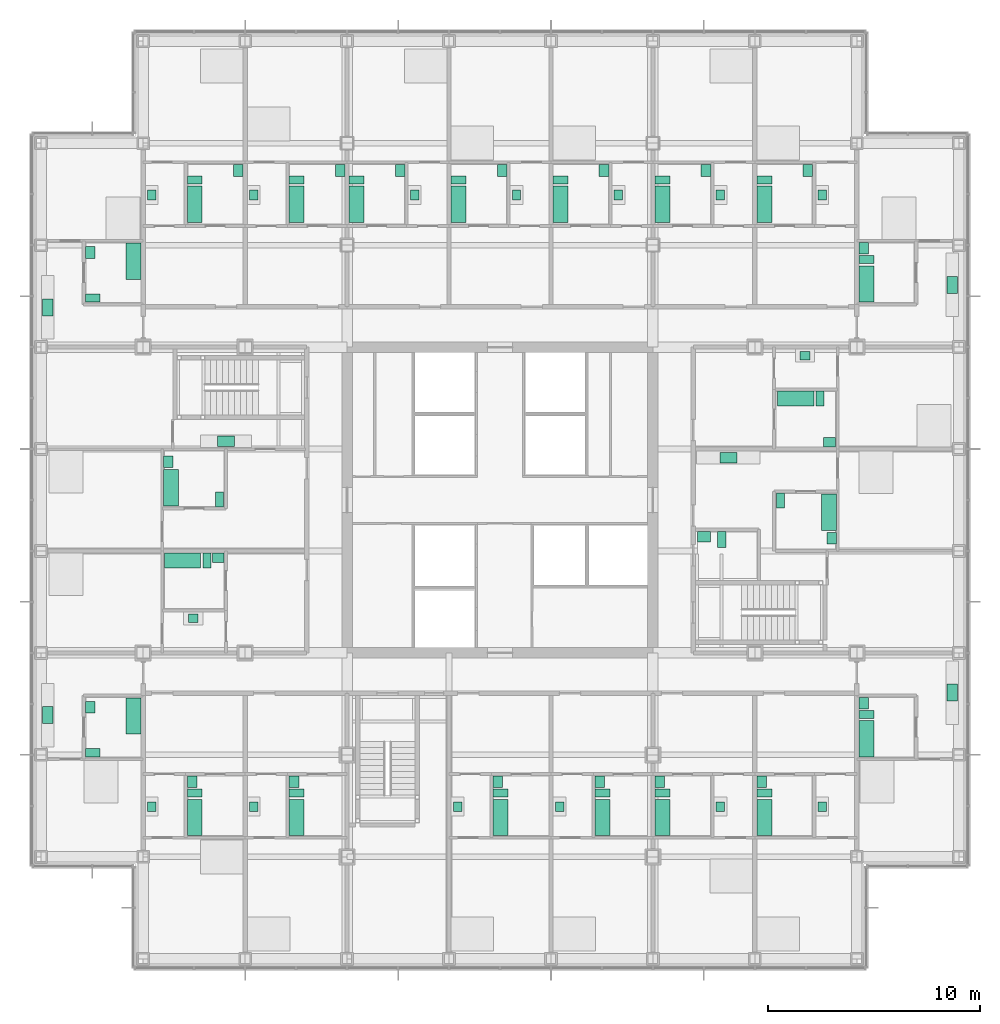
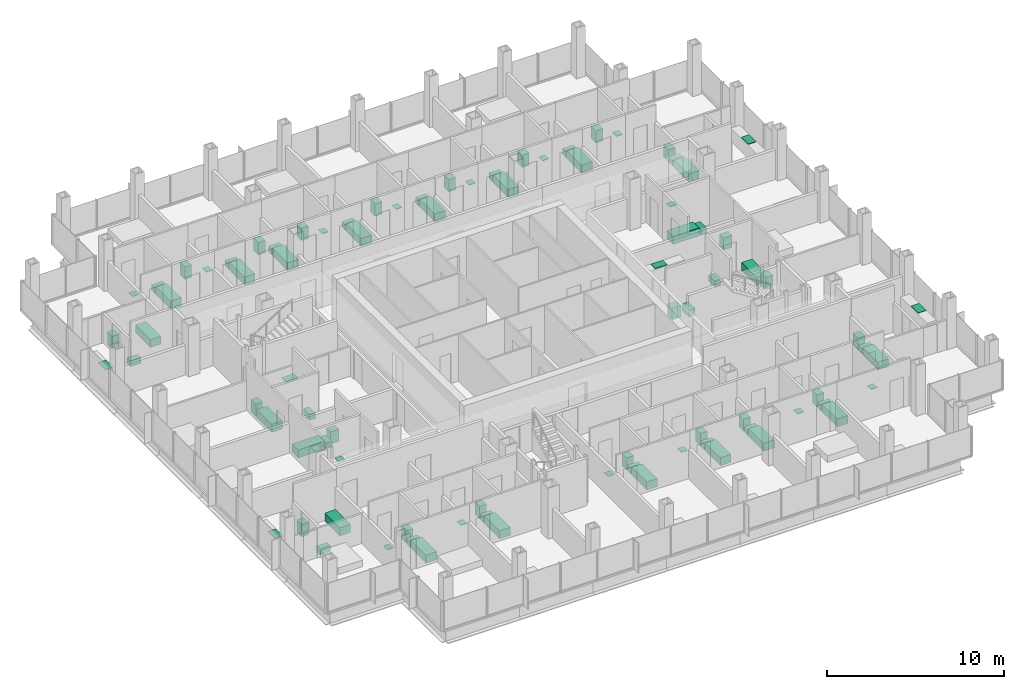
# One storey, part 21 of 22: 86 sanitary terminals.
"""IFC4 building model written with IfcOpenShell, lengths in metres."""

from ifc_helpers import new_model, si_unit, direction, frame, origin, origin_2d, place, context, subcontext, project, spatial, rectangle, extrude, material, type_object, element, save


model = new_model("IFC4")

# Units and contexts
model_context = context("Model", 3, precision=1e-05, world=origin(), true_north=direction((0.0, 1.0)))
body_context = subcontext(model_context, "Body", "Model", "MODEL_VIEW")
ifc_project = project(units=[si_unit("LENGTHUNIT", "METRE"), si_unit("AREAUNIT", "SQUARE_METRE"), si_unit("VOLUMEUNIT", "CUBIC_METRE"), si_unit("PLANEANGLEUNIT", "RADIAN"), si_unit("MASSUNIT", "GRAM", prefix="KILO")], contexts=[model_context])

# Site, building, storey
site_placement = place(None, origin())
site = spatial("IfcSite", under=ifc_project, at=site_placement, CompositionType="ELEMENT")
building_placement = place(site_placement, origin())
building = spatial("IfcBuilding", under=site, at=building_placement, Name="Kvirike Care Tower", CompositionType="ELEMENT")
storey_placement = place(building_placement, frame((0.0, 0.0, 76.0)))
storey = spatial("IfcBuildingStorey", under=building, at=storey_placement, Name="L20", CompositionType="ELEMENT", Elevation=76.0)

# Sanitary terminals
ifc_material_1 = material(Name="Vitreous china", Category="ceramic")
sanitary_terminal_type_1 = type_object("IfcSanitaryTerminalType", Name="ACCESSIBLE WASH BASIN 600 x 500", PredefinedType="WASHHANDBASIN", material=ifc_material_1)
sanitary_terminal_1_placement = place(storey_placement, frame((31.199951171875, 34.27294921875, 0.02001953125), z_axis=(0.0, 0.0, 1.0), x_axis=(1.0, 0.0, 0.0)))
element("IfcSanitaryTerminal", 1, at=sanitary_terminal_1_placement, inside=storey, type_object=sanitary_terminal_type_1, Name="Accessible wash basin L20-076", PredefinedType="WASHHANDBASIN", context=body_context, shape_type="SweptSolid", body=[
    extrude(rectangle(XDim=0.60009765625, YDim=0.5, at=origin_2d()), origin(), (0.0, 0.0, 1.0), 0.800048828125),
])
ifc_material_2 = material(Name="Vitreous china", Category="ceramic")
sanitary_terminal_type_2 = type_object("IfcSanitaryTerminalType", Name="ACCESSIBLE WC PAN 400 x 750", PredefinedType="TOILETPAN", material=ifc_material_2)
sanitary_terminal_2_placement = place(storey_placement, frame((32.050048828125, 34.14794921875, 0.02001953125), z_axis=(0.0, 0.0, 1.0), x_axis=(1.0, 0.0, 0.0)))
element("IfcSanitaryTerminal", 2, at=sanitary_terminal_2_placement, inside=storey, type_object=sanitary_terminal_type_2, Name="Accessible WC pan L20-076", PredefinedType="TOILETPAN", context=body_context, shape_type="SweptSolid", body=[
    extrude(rectangle(XDim=0.39990234375, YDim=0.75, at=origin_2d()), origin(), (0.0, 0.0, 1.0), 0.47998046875),
])
ifc_material_3 = material(Name="Enamelled steel", Category="steel")
sanitary_terminal_type_3 = type_object("IfcSanitaryTerminalType", Name="BATH 1700 x 700", PredefinedType="BATH", material=ifc_material_3)
for number, where, z_axis, x_axis, name in (
    (3, (4.347900390625, 25.824951171875, 0.02001953125), (0.0, 0.0, 1.0), (0.0, -1.0, 0.0), "Bath L20-003"),
    (4, (7.22705078125, 21.06005859375, 0.02001953125), (0.0, 0.0, 1.0), (0.0, 1.0, 0.0), "Bath L20-006"),
    (5, (12.027099609375, 21.06005859375, 0.02001953125), (0.0, 0.0, 1.0), (0.0, 1.0, 0.0), "Bath L20-010"),
    (6, (6.112060546875, 36.574951171875, 0.02001953125), (0.0, 0.0, 1.0), (0.0, 1.0, 0.0), "Bath L20-017"),
    (7, (6.659912109375, 33.14794921875, 0.02001953125), (0.0, 0.0, 1.0), (1.0, 0.0, 0.0), "Bath L20-021"),
    (8, (12.027099609375, 49.925048828125, 0.02001953125), (0.0, 0.0, 1.0), (0.0, 1.0, 0.0), "Bath L20-026"),
    (9, (7.22705078125, 49.925048828125, 0.02001953125), (0.0, 0.0, 1.0), (0.0, 1.0, 0.0), "Bath L20-030"),
    (10, (4.347900390625, 47.239990234375, 0.02001953125), (0.0, 0.0, 1.0), (0.0, -1.0, 0.0), "Bath L20-034"),
    (11, (21.626953125, 21.06005859375, 0.02001953125), (0.0, 0.0, 1.0), (0.0, 1.0, 0.0), "Bath L20-040"),
    (12, (26.427001953125, 21.06005859375, 0.02001953125), (0.0, 0.0, 1.0), (0.0, 1.0, 0.0), "Bath L20-044"),
    (13, (24.451904296875, 49.925048828125, 0.02001953125), (0.0, 0.0, 1.0), (0.0, 1.0, 0.0), "Bath L20-049"),
    (14, (19.652099609375, 49.925048828125, 0.02001953125), (0.0, 0.0, 1.0), (0.0, 1.0, 0.0), "Bath L20-053"),
    (15, (14.85205078125, 49.925048828125, 0.02001953125), (0.0, 0.0, 1.0), (0.0, 1.0, 0.0), "Bath L20-057"),
    (16, (29.251953125, 21.06005859375, 0.02001953125), (0.0, 0.0, 1.0), (0.0, 1.0, 0.0), "Bath L20-062"),
    (17, (34.052001953125, 21.06005859375, 0.02001953125), (0.0, 0.0, 1.0), (0.0, 1.0, 0.0), "Bath L20-066"),
    (18, (38.85205078125, 24.760009765625, 0.02001953125), (0.0, 0.0, 1.0), (0.0, 1.0, 0.0), "Bath L20-070"),
    (19, (37.087890625, 35.425048828125, 0.02001953125), (0.0, 0.0, 1.0), (0.0, -1.0, 0.0), "Bath L20-077"),
    (20, (35.52490234375, 40.77294921875, 0.02001953125), (0.0, 0.0, 1.0), (1.0, 0.0, 0.0), "Bath L20-080"),
    (21, (38.85205078125, 46.175048828125, 0.02001953125), (0.0, 0.0, 1.0), (0.0, 1.0, 0.0), "Bath L20-085"),
    (22, (34.052001953125, 49.925048828125, 0.02001953125), (0.0, 0.0, 1.0), (0.0, 1.0, 0.0), "Bath L20-088"),
    (23, (29.251953125, 49.925048828125, 0.02001953125), (0.0, 0.0, 1.0), (0.0, 1.0, 0.0), "Bath L20-092"),
):
    element("IfcSanitaryTerminal", number, at=place(storey_placement, frame(where, z_axis=z_axis, x_axis=x_axis)), inside=storey, type_object=sanitary_terminal_type_3, Name=name, PredefinedType="BATH", context=body_context, shape_type="SweptSolid", body=[
        extrude(rectangle(XDim=1.699951171875, YDim=0.699951171875, at=origin_2d()), origin(), (0.0, 0.0, 1.0), 0.550048828125),
    ])
ifc_material_4 = material(Name="Stainless steel", Category="steel")
sanitary_terminal_type_4 = type_object("IfcSanitaryTerminalType", Name="KITCHEN SINK 450 x 400", PredefinedType="SINK", material=ifc_material_4)
for number, where, z_axis, x_axis, name in (
    (24, (5.201904296875, 21.56005859375, 0.89990234375), (0.0, 0.0, 1.0), (0.0, 1.0, 0.0), "Kitchen sink L20-007"),
    (25, (10.001953125, 21.56005859375, 0.89990234375), (0.0, 0.0, 1.0), (0.0, 1.0, 0.0), "Kitchen sink L20-011"),
    (26, (7.159912109375, 30.423095703125, 0.89990234375), (0.0, 0.0, 1.0), (1.0, 0.0, 0.0), "Kitchen sink L20-022"),
    (27, (10.001953125, 50.360107421875, 0.89990234375), (0.0, 0.0, 1.0), (0.0, 1.0, 0.0), "Kitchen sink L20-027"),
    (28, (5.201904296875, 50.360107421875, 0.89990234375), (0.0, 0.0, 1.0), (0.0, 1.0, 0.0), "Kitchen sink L20-031"),
    (29, (19.60205078125, 21.56005859375, 0.89990234375), (0.0, 0.0, 1.0), (0.0, 1.0, 0.0), "Kitchen sink L20-041"),
    (30, (24.402099609375, 21.56005859375, 0.89990234375), (0.0, 0.0, 1.0), (0.0, 1.0, 0.0), "Kitchen sink L20-045"),
    (31, (27.177001953125, 50.360107421875, 0.89990234375), (0.0, 0.0, 1.0), (0.0, 1.0, 0.0), "Kitchen sink L20-050"),
    (32, (22.376953125, 50.360107421875, 0.89990234375), (0.0, 0.0, 1.0), (0.0, 1.0, 0.0), "Kitchen sink L20-054"),
    (33, (17.576904296875, 50.360107421875, 0.89990234375), (0.0, 0.0, 1.0), (0.0, 1.0, 0.0), "Kitchen sink L20-058"),
    (34, (31.97705078125, 21.56005859375, 0.89990234375), (0.0, 0.0, 1.0), (0.0, 1.0, 0.0), "Kitchen sink L20-063"),
    (35, (36.777099609375, 21.56005859375, 0.89990234375), (0.0, 0.0, 1.0), (0.0, 1.0, 0.0), "Kitchen sink L20-067"),
    (36, (35.9599609375, 42.798095703125, 0.89990234375), (0.0, 0.0, 1.0), (1.0, 0.0, 0.0), "Kitchen sink L20-081"),
    (37, (36.777099609375, 50.360107421875, 0.89990234375), (0.0, 0.0, 1.0), (0.0, 1.0, 0.0), "Kitchen sink L20-089"),
    (38, (31.97705078125, 50.360107421875, 0.89990234375), (0.0, 0.0, 1.0), (0.0, 1.0, 0.0), "Kitchen sink L20-093"),
):
    element("IfcSanitaryTerminal", number, at=place(storey_placement, frame(where, z_axis=z_axis, x_axis=x_axis)), inside=storey, type_object=sanitary_terminal_type_4, Name=name, PredefinedType="SINK", context=body_context, shape_type="SweptSolid", body=[
        extrude(rectangle(XDim=0.449951171875, YDim=0.39990234375, at=origin_2d()), origin(), (0.0, 0.0, 1.0), 0.030029296875),
    ])
ifc_material_5 = material(Name="Stainless steel", Category="steel")
sanitary_terminal_type_5 = type_object("IfcSanitaryTerminalType", Name="KITCHEN SINK 800 x 500", PredefinedType="SINK", material=ifc_material_5)
for number, where, z_axis, x_axis, name in (
    (39, (0.302001953125, 25.8701171875, 0.89990234375), (0.0, 0.0, 1.0), (0.0, 1.0, 0.0), "Kitchen sink L20-004"),
    (40, (8.699951171875, 38.761962890625, 0.89990234375), (0.0, 0.0, 1.0), (-1.0, 0.0, 0.0), "Kitchen sink L20-018"),
    (41, (0.302001953125, 45.070068359375, 0.89990234375), (0.0, 0.0, 1.0), (0.0, 1.0, 0.0), "Kitchen sink L20-035"),
    (42, (42.89794921875, 26.929931640625, 0.89990234375), (0.0, 0.0, 1.0), (0.0, -1.0, 0.0), "Kitchen sink L20-071"),
    (43, (32.35009765625, 37.998046875, 0.89990234375), (0.0, 0.0, 1.0), (1.0, 0.0, 0.0), "Kitchen sink L20-078"),
    (44, (42.89794921875, 46.1298828125, 0.89990234375), (0.0, 0.0, 1.0), (0.0, -1.0, 0.0), "Kitchen sink L20-086"),
):
    element("IfcSanitaryTerminal", number, at=place(storey_placement, frame(where, z_axis=z_axis, x_axis=x_axis)), inside=storey, type_object=sanitary_terminal_type_5, Name=name, PredefinedType="SINK", context=body_context, shape_type="SweptSolid", body=[
        extrude(rectangle(XDim=0.800048828125, YDim=0.5, at=origin_2d()), origin(), (0.0, 0.0, 1.0), 0.030029296875),
    ])
ifc_material_6 = material(Name="Vitreous china", Category="ceramic")
sanitary_terminal_type_6 = type_object("IfcSanitaryTerminalType", Name="WASH BASIN 550 x 450", PredefinedType="WASHHANDBASIN", material=ifc_material_6)
for number, where, z_axis, x_axis, name in (
    (45, (2.302001953125, 26.235107421875, 0.02001953125), (0.0, 0.0, 1.0), (0.0, 1.0, 0.0), "Wash basin L20-003"),
    (46, (7.10205078125, 22.735107421875, 0.02001953125), (0.0, 0.0, 1.0), (0.0, 1.0, 0.0), "Wash basin L20-006"),
    (47, (11.902099609375, 22.735107421875, 0.02001953125), (0.0, 0.0, 1.0), (0.0, 1.0, 0.0), "Wash basin L20-010"),
    (48, (5.987060546875, 37.800048828125, 0.02001953125), (0.0, 0.0, 1.0), (0.0, 1.0, 0.0), "Wash basin L20-017"),
    (49, (8.3349609375, 33.27294921875, 0.02001953125), (0.0, 0.0, 1.0), (1.0, 0.0, 0.0), "Wash basin L20-021"),
    (50, (14.072998046875, 51.514892578125, 0.02001953125), (0.0, 0.0, 1.0), (0.0, -1.0, 0.0), "Wash basin L20-026"),
    (51, (9.27294921875, 51.514892578125, 0.02001953125), (0.0, 0.0, 1.0), (0.0, -1.0, 0.0), "Wash basin L20-030"),
    (52, (2.302001953125, 47.64990234375, 0.02001953125), (0.0, 0.0, 1.0), (0.0, 1.0, 0.0), "Wash basin L20-034"),
    (53, (21.501953125, 22.735107421875, 0.02001953125), (0.0, 0.0, 1.0), (0.0, 1.0, 0.0), "Wash basin L20-040"),
    (54, (26.302001953125, 22.735107421875, 0.02001953125), (0.0, 0.0, 1.0), (0.0, 1.0, 0.0), "Wash basin L20-044"),
    (55, (26.498046875, 51.514892578125, 0.02001953125), (0.0, 0.0, 1.0), (0.0, -1.0, 0.0), "Wash basin L20-049"),
    (56, (21.697998046875, 51.514892578125, 0.02001953125), (0.0, 0.0, 1.0), (0.0, -1.0, 0.0), "Wash basin L20-053"),
    (57, (16.89794921875, 51.514892578125, 0.02001953125), (0.0, 0.0, 1.0), (0.0, -1.0, 0.0), "Wash basin L20-057"),
    (58, (29.126953125, 22.735107421875, 0.02001953125), (0.0, 0.0, 1.0), (0.0, 1.0, 0.0), "Wash basin L20-062"),
    (59, (33.927001953125, 22.735107421875, 0.02001953125), (0.0, 0.0, 1.0), (0.0, 1.0, 0.0), "Wash basin L20-066"),
    (60, (38.72705078125, 26.43505859375, 0.02001953125), (0.0, 0.0, 1.0), (0.0, 1.0, 0.0), "Wash basin L20-070"),
    (61, (37.212890625, 34.199951171875, 0.02001953125), (0.0, 0.0, 1.0), (0.0, -1.0, 0.0), "Wash basin L20-077"),
    (62, (37.114990234375, 38.72705078125, 0.02001953125), (0.0, 0.0, 1.0), (-1.0, 0.0, 0.0), "Wash basin L20-080"),
    (63, (38.72705078125, 47.85009765625, 0.02001953125), (0.0, 0.0, 1.0), (0.0, 1.0, 0.0), "Wash basin L20-085"),
    (64, (36.097900390625, 51.514892578125, 0.02001953125), (0.0, 0.0, 1.0), (0.0, -1.0, 0.0), "Wash basin L20-088"),
    (65, (31.298095703125, 51.514892578125, 0.02001953125), (0.0, 0.0, 1.0), (0.0, -1.0, 0.0), "Wash basin L20-092"),
):
    element("IfcSanitaryTerminal", number, at=place(storey_placement, frame(where, z_axis=z_axis, x_axis=x_axis)), inside=storey, type_object=sanitary_terminal_type_6, Name=name, PredefinedType="WASHHANDBASIN", context=body_context, shape_type="SweptSolid", body=[
        extrude(rectangle(XDim=0.550048828125, YDim=0.449951171875, at=origin_2d()), origin(), (0.0, 0.0, 1.0), 0.85009765625),
    ])
ifc_material_7 = material(Name="Vitreous china", Category="ceramic")
sanitary_terminal_type_7 = type_object("IfcSanitaryTerminalType", Name="WC PAN 380 x 700", PredefinedType="TOILETPAN", material=ifc_material_7)
for number, where, z_axis, x_axis, name in (
    (66, (2.427001953125, 24.10009765625, 0.02001953125), (0.0, 0.0, 1.0), (0.0, 1.0, 0.0), "WC pan L20-003"),
    (67, (7.22705078125, 22.199951171875, 0.02001953125), (0.0, 0.0, 1.0), (0.0, 1.0, 0.0), "WC pan L20-006"),
    (68, (12.027099609375, 22.199951171875, 0.02001953125), (0.0, 0.0, 1.0), (0.0, 1.0, 0.0), "WC pan L20-010"),
    (69, (8.385009765625, 36.027099609375, 0.02001953125), (0.0, 0.0, 1.0), (-1.0, 0.0, 0.0), "WC pan L20-017"),
    (70, (7.800048828125, 33.14794921875, 0.02001953125), (0.0, 0.0, 1.0), (1.0, 0.0, 0.0), "WC pan L20-021"),
    (71, (12.027099609375, 51.06494140625, 0.02001953125), (0.0, 0.0, 1.0), (0.0, 1.0, 0.0), "WC pan L20-026"),
    (72, (7.22705078125, 51.06494140625, 0.02001953125), (0.0, 0.0, 1.0), (0.0, 1.0, 0.0), "WC pan L20-030"),
    (73, (2.427001953125, 45.514892578125, 0.02001953125), (0.0, 0.0, 1.0), (0.0, 1.0, 0.0), "WC pan L20-034"),
    (74, (21.626953125, 22.199951171875, 0.02001953125), (0.0, 0.0, 1.0), (0.0, 1.0, 0.0), "WC pan L20-040"),
    (75, (26.427001953125, 22.199951171875, 0.02001953125), (0.0, 0.0, 1.0), (0.0, 1.0, 0.0), "WC pan L20-044"),
    (76, (24.451904296875, 51.06494140625, 0.02001953125), (0.0, 0.0, 1.0), (0.0, 1.0, 0.0), "WC pan L20-049"),
    (77, (19.652099609375, 51.06494140625, 0.02001953125), (0.0, 0.0, 1.0), (0.0, 1.0, 0.0), "WC pan L20-053"),
    (78, (14.85205078125, 51.06494140625, 0.02001953125), (0.0, 0.0, 1.0), (0.0, 1.0, 0.0), "WC pan L20-057"),
    (79, (29.251953125, 22.199951171875, 0.02001953125), (0.0, 0.0, 1.0), (0.0, 1.0, 0.0), "WC pan L20-062"),
    (80, (34.052001953125, 22.199951171875, 0.02001953125), (0.0, 0.0, 1.0), (0.0, 1.0, 0.0), "WC pan L20-066"),
    (81, (38.85205078125, 25.89990234375, 0.02001953125), (0.0, 0.0, 1.0), (0.0, 1.0, 0.0), "WC pan L20-070"),
    (82, (34.81494140625, 35.972900390625, 0.02001953125), (0.0, 0.0, 1.0), (1.0, 0.0, 0.0), "WC pan L20-077"),
    (83, (36.6650390625, 40.77294921875, 0.02001953125), (0.0, 0.0, 1.0), (1.0, 0.0, 0.0), "WC pan L20-080"),
    (84, (38.85205078125, 47.31494140625, 0.02001953125), (0.0, 0.0, 1.0), (0.0, 1.0, 0.0), "WC pan L20-085"),
    (85, (34.052001953125, 51.06494140625, 0.02001953125), (0.0, 0.0, 1.0), (0.0, 1.0, 0.0), "WC pan L20-088"),
    (86, (29.251953125, 51.06494140625, 0.02001953125), (0.0, 0.0, 1.0), (0.0, 1.0, 0.0), "WC pan L20-092"),
):
    element("IfcSanitaryTerminal", number, at=place(storey_placement, frame(where, z_axis=z_axis, x_axis=x_axis)), inside=storey, type_object=sanitary_terminal_type_7, Name=name, PredefinedType="TOILETPAN", context=body_context, shape_type="SweptSolid", body=[
        extrude(rectangle(XDim=0.3798828125, YDim=0.699951171875, at=origin_2d()), origin(), (0.0, 0.0, 1.0), 0.39990234375),
    ])

save(model, "model.ifc")
